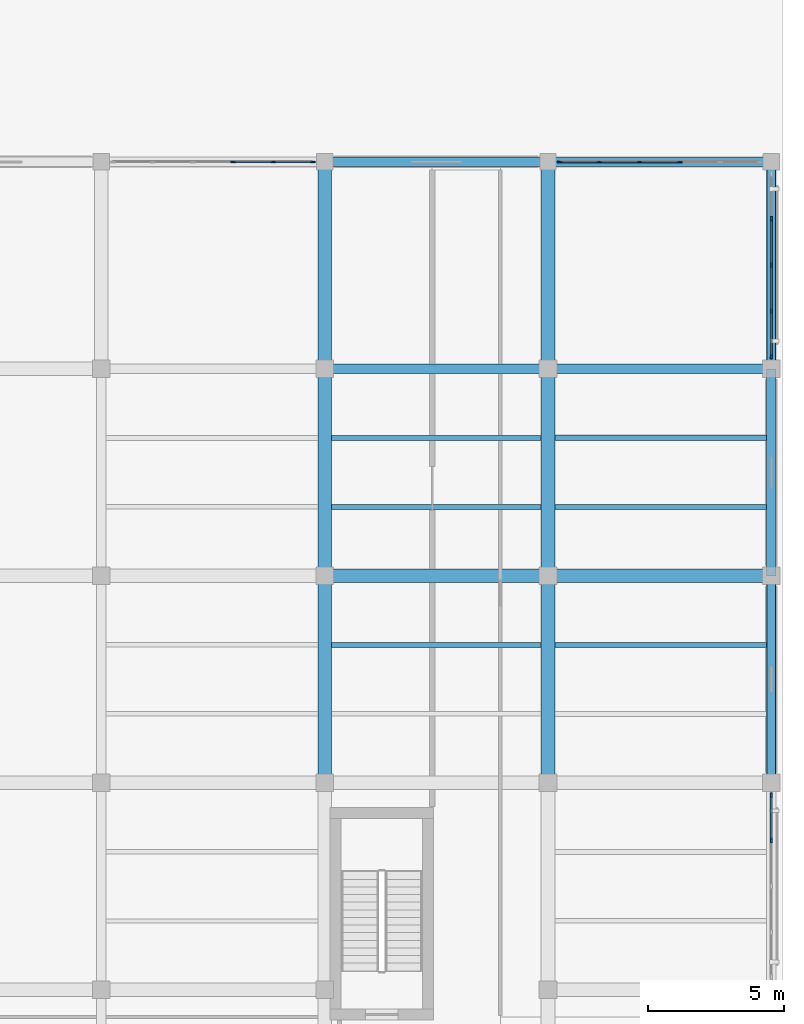
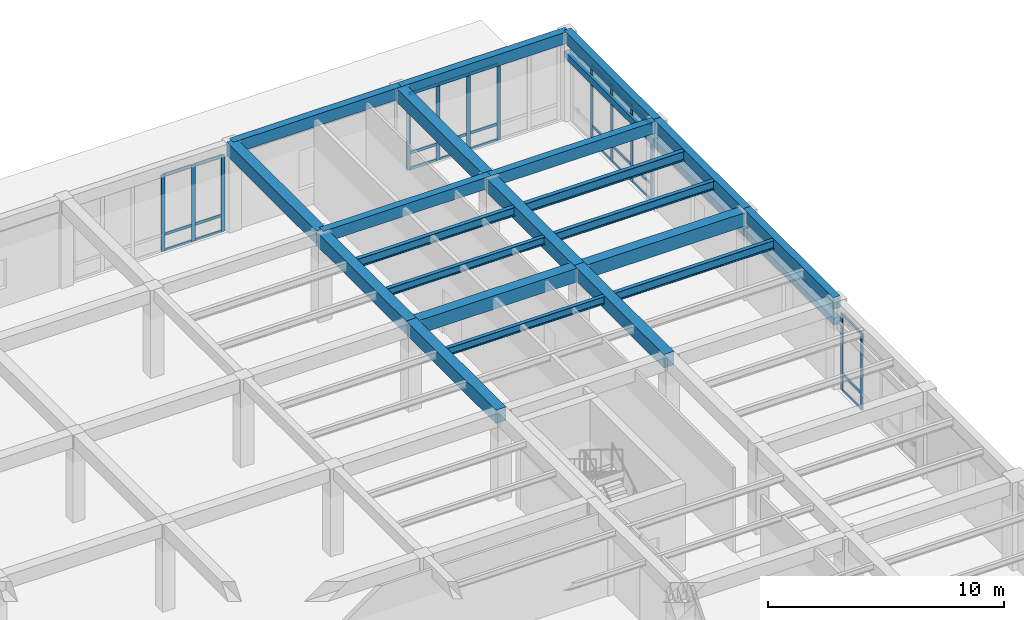
# One storey, part 25 of 49: 40 members, 24 beams, 4 elements without a shape of their own.
"""IFC4 building model written with IfcOpenShell, lengths in metres."""

from ifc_helpers import new_model, si_unit, direction, frame, origin, origin_2d, place, context, subcontext, project, spatial, rectangle, i_section, extrude, material, material_profile, profile_set, type_object, element, aggregate, save


model = new_model("IFC4")

# Units and contexts
model_context = context("Model", 3, precision=1e-05, world=origin(), true_north=direction((0.0, 1.0)))
body_context = subcontext(model_context, "Body", "Model", "MODEL_VIEW")
ifc_project = project(units=[si_unit("LENGTHUNIT", "METRE"), si_unit("AREAUNIT", "SQUARE_METRE"), si_unit("VOLUMEUNIT", "CUBIC_METRE"), si_unit("PLANEANGLEUNIT", "RADIAN"), si_unit("MASSUNIT", "GRAM", prefix="KILO")], contexts=[model_context])

# Site, building, storey
site_placement = place(None, origin())
site = spatial("IfcSite", under=ifc_project, at=site_placement, CompositionType="ELEMENT")
building_placement = place(site_placement, origin())
building = spatial("IfcBuilding", under=site, at=building_placement, Name="Qandaris Square Conservatory and Botanical Centre", CompositionType="ELEMENT")
storey_placement = place(building_placement, frame((0.0, 0.0, 10.199951171875)))
storey = spatial("IfcBuildingStorey", under=building, at=storey_placement, Name="L02", CompositionType="ELEMENT", Elevation=10.199951171875)

# Beams
ifc_material_1 = material(Name="Steel S355", Category="steel")
ifc_material_profile_1 = material_profile(ifc_material_1, i_section(OverallWidth=0.18994140625, OverallDepth=0.449951171875, WebThickness=0.009521484375, FlangeThickness=0.0146484375, FilletRadius=0.02099609375, at=origin_2d()), Name="IPE 450")
ifc_profile_set_1 = profile_set([ifc_material_profile_1], Name="Steel S355")
beam_type_1 = type_object("IfcBeamType", Name="Composite Archive Joist IPE 450", PredefinedType="JOIST", material=ifc_profile_set_1)
beam_1_placement = place(storey_placement, frame((147.64990234375, 90.066650390625, 4.275146484375), z_axis=(1.0, 0.0, 0.0), x_axis=(0.0, 1.0, 0.0)))
element("IfcBeam", 1, at=beam_1_placement, inside=storey, type_object=beam_type_1, Name="L02 Composite Joist 1514", PredefinedType="JOIST", context=body_context, shape_type="SweptSolid", body=[
    extrude(i_section(OverallWidth=0.18994140625, OverallDepth=0.449951171875, WebThickness=0.009521484375, FlangeThickness=0.0146484375, FilletRadius=0.02099609375, at=origin_2d()), origin(), (0.0, 0.0, 1.0), 7.7001953125),
])
for number, where, z_axis, x_axis, name in (
    (2, (155.85009765625, 82.466796875, 4.275146484375), (1.0, 0.0, 0.0), (0.0, 1.0, 0.0), "L02 Composite Joist 1532"),
    (3, (155.85009765625, 87.533203125, 4.275146484375), (1.0, 0.0, 0.0), (0.0, 1.0, 0.0), "L02 Composite Joist 1533"),
):
    element("IfcBeam", number, at=place(storey_placement, frame(where, z_axis=z_axis, x_axis=x_axis)), inside=storey, type_object=beam_type_1, Name=name, PredefinedType="JOIST", context=body_context, shape_type="SweptSolid", body=[
        extrude(i_section(OverallWidth=0.18994140625, OverallDepth=0.449951171875, WebThickness=0.009521484375, FlangeThickness=0.0146484375, FilletRadius=0.02099609375, at=origin_2d()), origin(), (0.0, 0.0, 1.0), 7.77490234375),
    ])
ifc_material_profile_2 = material_profile(ifc_material_1, i_section(OverallWidth=0.199951171875, OverallDepth=0.5, WebThickness=0.01025390625, FlangeThickness=0.01611328125, FilletRadius=0.02099609375, at=origin_2d()), Name="IPE 500")
ifc_profile_set_2 = profile_set([ifc_material_profile_2], Name="Steel S355")
beam_type_2 = type_object("IfcBeamType", Name="Composite Gallery Joist IPE 500", PredefinedType="JOIST", material=ifc_profile_set_2)
beam_2_placement = place(storey_placement, frame((155.85009765625, 90.066650390625, 4.25), z_axis=(1.0, 0.0, 0.0), x_axis=(0.0, 1.0, 0.0)))
element("IfcBeam", 4, at=beam_2_placement, inside=storey, type_object=beam_type_2, Name="L02 Composite Joist 1534", PredefinedType="JOIST", context=body_context, shape_type="SweptSolid", body=[
    extrude(i_section(OverallWidth=0.199951171875, OverallDepth=0.5, WebThickness=0.01025390625, FlangeThickness=0.01611328125, FilletRadius=0.02099609375, at=origin_2d()), origin(), (0.0, 0.0, 1.0), 7.77490234375),
])
ifc_material_profile_3 = material_profile(ifc_material_1, i_section(OverallWidth=0.179931640625, OverallDepth=0.39990234375, WebThickness=0.008544921875, FlangeThickness=0.013427734375, FilletRadius=0.02099609375, at=origin_2d()), Name="IPE 400")
ifc_profile_set_3 = profile_set([ifc_material_profile_3], Name="Steel S355")
beam_type_3 = type_object("IfcBeamType", Name="Composite Plinth Joist IPE 400", PredefinedType="JOIST", material=ifc_profile_set_3)
for number, where, z_axis, x_axis, name in (
    (5, (147.64990234375, 82.466796875, 4.300048828125), (1.0, 0.0, 0.0), (0.0, 1.0, 0.0), "L02 Composite Joist 1512"),
    (6, (147.64990234375, 87.533203125, 4.300048828125), (1.0, 0.0, 0.0), (0.0, 1.0, 0.0), "L02 Composite Joist 1513"),
):
    element("IfcBeam", number, at=place(storey_placement, frame(where, z_axis=z_axis, x_axis=x_axis)), inside=storey, type_object=beam_type_3, Name=name, PredefinedType="JOIST", context=body_context, shape_type="SweptSolid", body=[
        extrude(i_section(OverallWidth=0.179931640625, OverallDepth=0.39990234375, WebThickness=0.008544921875, FlangeThickness=0.013427734375, FilletRadius=0.02099609375, at=origin_2d()), origin(), (0.0, 0.0, 1.0), 7.7001953125),
    ])

# Curtain wall, members
ifc_material_2 = material(Name="Anodised Aluminium", Category="aluminium")
curtain_wall_type_1 = type_object("IfcCurtainWallType", Name="Unitised Curtain Wall CW-4-675x394", PredefinedType="USERDEFINED", material=ifc_material_2)
curtain_wall_1_placement = place(storey_placement, origin())
curtain_wall_1 = element("IfcCurtainWall", 7, at=curtain_wall_1_placement, inside=storey, type_object=curtain_wall_type_1, Name="Curtain Wall CW-TWR-L02-2-8", ObjectType="GLAZED CURTAIN WALL", PredefinedType="USERDEFINED")
ifc_material_profile_4 = material_profile(ifc_material_2, rectangle(XDim=0.06494140625, YDim=0.179931640625, at=origin_2d()), Name="ALU-MUL 65x180")
ifc_profile_set_4 = profile_set([ifc_material_profile_4], Name="Anodised Aluminium")
member_type_1 = type_object("IfcMemberType", Name="Curtain Wall Mullion 65x180", PredefinedType="MULLION", material=ifc_profile_set_4)
member_1_placement = place(storey_placement, frame((163.800048828125, 75.28759765625, 0.0), z_axis=(0.0, 0.0, 1.0), x_axis=(-1.0, 0.0, 0.0)))
member_1 = element("IfcMember", 8, at=member_1_placement, type_object=member_type_1, Name="CW-4-675x394 mullion 4", PredefinedType="MULLION", context=body_context, shape_type="SweptSolid", body=[
    extrude(rectangle(XDim=0.06494140625, YDim=0.179931640625, at=origin_2d()), origin(), (0.0, 0.0, 1.0), 3.945068359375),
])
member_2_placement = place(storey_placement, frame((163.800048828125, 76.9423828125, 0.0), z_axis=(0.0, 0.0, 1.0), x_axis=(-1.0, 0.0, 0.0)))
member_2 = element("IfcMember", 9, at=member_2_placement, type_object=member_type_1, Name="CW-4-675x394 mullion 5", PredefinedType="MULLION", context=body_context, shape_type="SweptSolid", body=[
    extrude(rectangle(XDim=0.06494140625, YDim=0.179931640625, at=origin_2d()), origin(), (0.0, 0.0, 1.0), 3.945068359375),
])

curtain_wall_type_2 = type_object("IfcCurtainWallType", Name="Unitised Curtain Wall CW-4-677x394", PredefinedType="USERDEFINED", material=ifc_material_2)
curtain_wall_2_placement = place(storey_placement, origin())
curtain_wall_2 = element("IfcCurtainWall", 10, at=curtain_wall_2_placement, inside=storey, type_object=curtain_wall_type_2, Name="Curtain Wall CW-TWR-L02-2-11", ObjectType="GLAZED CURTAIN WALL", PredefinedType="USERDEFINED")
member_3_placement = place(storey_placement, frame((163.800048828125, 93.0576171875, 0.0), z_axis=(0.0, 0.0, 1.0), x_axis=(-1.0, 0.0, 0.0)))
member_3 = element("IfcMember", 11, at=member_3_placement, type_object=member_type_1, Name="CW-4-677x394 mullion 1", PredefinedType="MULLION", context=body_context, shape_type="SweptSolid", body=[
    extrude(rectangle(XDim=0.06494140625, YDim=0.179931640625, at=origin_2d()), origin(), (0.0, 0.0, 1.0), 3.945068359375),
])
member_4_placement = place(storey_placement, frame((163.800048828125, 94.71875, 0.0), z_axis=(0.0, 0.0, 1.0), x_axis=(-1.0, 0.0, 0.0)))
member_4 = element("IfcMember", 12, at=member_4_placement, type_object=member_type_1, Name="CW-4-677x394 mullion 2", PredefinedType="MULLION", context=body_context, shape_type="SweptSolid", body=[
    extrude(rectangle(XDim=0.06494140625, YDim=0.179931640625, at=origin_2d()), origin(), (0.0, 0.0, 1.0), 3.945068359375),
])
member_5_placement = place(storey_placement, frame((163.800048828125, 96.41259765625, 0.0), z_axis=(0.0, 0.0, 1.0), x_axis=(-1.0, 0.0, 0.0)))
member_5 = element("IfcMember", 13, at=member_5_placement, type_object=member_type_1, Name="CW-4-677x394 mullion 3", PredefinedType="MULLION", context=body_context, shape_type="SweptSolid", body=[
    extrude(rectangle(XDim=0.06494140625, YDim=0.179931640625, at=origin_2d()), origin(), (0.0, 0.0, 1.0), 3.945068359375),
])
member_6_placement = place(storey_placement, frame((163.800048828125, 98.106201171875, 0.0), z_axis=(0.0, 0.0, 1.0), x_axis=(-1.0, 0.0, 0.0)))
member_6 = element("IfcMember", 14, at=member_6_placement, type_object=member_type_1, Name="CW-4-677x394 mullion 4", PredefinedType="MULLION", context=body_context, shape_type="SweptSolid", body=[
    extrude(rectangle(XDim=0.06494140625, YDim=0.179931640625, at=origin_2d()), origin(), (0.0, 0.0, 1.0), 3.945068359375),
])

curtain_wall_type_3 = type_object("IfcCurtainWallType", Name="Unitised Curtain Wall CW-3-740x394", PredefinedType="USERDEFINED", material=ifc_material_2)
curtain_wall_3_placement = place(storey_placement, origin())
curtain_wall_3 = element("IfcCurtainWall", 15, at=curtain_wall_3_placement, inside=storey, type_object=curtain_wall_type_3, Name="Curtain Wall CW-TWR-L02-3-1", ObjectType="GLAZED CURTAIN WALL", PredefinedType="USERDEFINED")
member_7_placement = place(storey_placement, frame((160.43994140625, 100.199951171875, 0.0), z_axis=(0.0, 0.0, 1.0), x_axis=(0.0, -1.0, 0.0)))
member_7 = element("IfcMember", 16, at=member_7_placement, type_object=member_type_1, Name="CW-3-740x394 mullion 3", PredefinedType="MULLION", context=body_context, shape_type="SweptSolid", body=[
    extrude(rectangle(XDim=0.06494140625, YDim=0.179931640625, at=origin_2d()), origin(), (0.0, 0.0, 1.0), 3.945068359375),
])
member_8_placement = place(storey_placement, frame((158.9599609375, 100.199951171875, 0.0), z_axis=(0.0, 0.0, 1.0), x_axis=(0.0, -1.0, 0.0)))
member_8 = element("IfcMember", 17, at=member_8_placement, type_object=member_type_1, Name="CW-3-740x394 mullion 4", PredefinedType="MULLION", context=body_context, shape_type="SweptSolid", body=[
    extrude(rectangle(XDim=0.06494140625, YDim=0.179931640625, at=origin_2d()), origin(), (0.0, 0.0, 1.0), 3.945068359375),
])
member_9_placement = place(storey_placement, frame((157.47998046875, 100.199951171875, 0.0), z_axis=(0.0, 0.0, 1.0), x_axis=(0.0, -1.0, 0.0)))
member_9 = element("IfcMember", 18, at=member_9_placement, type_object=member_type_1, Name="CW-3-740x394 mullion 5", PredefinedType="MULLION", context=body_context, shape_type="SweptSolid", body=[
    extrude(rectangle(XDim=0.06494140625, YDim=0.179931640625, at=origin_2d()), origin(), (0.0, 0.0, 1.0), 3.945068359375),
])
member_10_placement = place(storey_placement, frame((156.032470703125, 100.199951171875, 0.0), z_axis=(0.0, 0.0, 1.0), x_axis=(0.0, -1.0, 0.0)))
member_10 = element("IfcMember", 19, at=member_10_placement, type_object=member_type_1, Name="CW-3-740x394 mullion 6", PredefinedType="MULLION", context=body_context, shape_type="SweptSolid", body=[
    extrude(rectangle(XDim=0.06494140625, YDim=0.179931640625, at=origin_2d()), origin(), (0.0, 0.0, 1.0), 3.945068359375),
])

curtain_wall_4_placement = place(storey_placement, origin())
curtain_wall_4 = element("IfcCurtainWall", 20, at=curtain_wall_4_placement, inside=storey, type_object=curtain_wall_type_3, Name="Curtain Wall CW-TWR-L02-3-3", ObjectType="GLAZED CURTAIN WALL", PredefinedType="USERDEFINED")
member_11_placement = place(storey_placement, frame((146.967529296875, 100.199951171875, 0.0), z_axis=(0.0, 0.0, 1.0), x_axis=(0.0, -1.0, 0.0)))
member_11 = element("IfcMember", 21, at=member_11_placement, type_object=member_type_1, Name="CW-3-740x394 mullion 1", PredefinedType="MULLION", context=body_context, shape_type="SweptSolid", body=[
    extrude(rectangle(XDim=0.06494140625, YDim=0.179931640625, at=origin_2d()), origin(), (0.0, 0.0, 1.0), 3.945068359375),
])
member_12_placement = place(storey_placement, frame((145.52001953125, 100.199951171875, 0.0), z_axis=(0.0, 0.0, 1.0), x_axis=(0.0, -1.0, 0.0)))
member_12 = element("IfcMember", 22, at=member_12_placement, type_object=member_type_1, Name="CW-3-740x394 mullion 2", PredefinedType="MULLION", context=body_context, shape_type="SweptSolid", body=[
    extrude(rectangle(XDim=0.06494140625, YDim=0.179931640625, at=origin_2d()), origin(), (0.0, 0.0, 1.0), 3.945068359375),
])
member_13_placement = place(storey_placement, frame((144.0400390625, 100.199951171875, 0.0), z_axis=(0.0, 0.0, 1.0), x_axis=(0.0, -1.0, 0.0)))
member_13 = element("IfcMember", 23, at=member_13_placement, type_object=member_type_1, Name="CW-3-740x394 mullion 3", PredefinedType="MULLION", context=body_context, shape_type="SweptSolid", body=[
    extrude(rectangle(XDim=0.06494140625, YDim=0.179931640625, at=origin_2d()), origin(), (0.0, 0.0, 1.0), 3.945068359375),
])

# Member
ifc_material_profile_5 = material_profile(ifc_material_2, rectangle(XDim=0.06494140625, YDim=0.139892578125, at=origin_2d()), Name="ALU-TRN 65x140")
ifc_profile_set_5 = profile_set([ifc_material_profile_5], Name="Anodised Aluminium")
member_type_2 = type_object("IfcMemberType", Name="Curtain Wall Transom 65x140", PredefinedType="USERDEFINED", material=ifc_profile_set_5)
member_14_placement = place(storey_placement, frame((163.800048828125, 75.320068359375, 0.032470703125), z_axis=(0.0, 1.0, 0.0), x_axis=(-1.0, 0.0, 0.0)))
member_14 = element("IfcMember", 24, at=member_14_placement, type_object=member_type_2, Name="CW-4-675x394 transom 4.1", ObjectType="TRANSOM", PredefinedType="USERDEFINED", context=body_context, shape_type="SweptSolid", body=[
    extrude(rectangle(XDim=0.06494140625, YDim=0.139892578125, at=origin_2d()), origin(), (0.0, 0.0, 1.0), 1.58984375),
])

member_15_placement = place(storey_placement, frame((163.800048828125, 75.320068359375, 0.85009765625), z_axis=(0.0, 1.0, 0.0), x_axis=(-1.0, 0.0, 0.0)))
member_15 = element("IfcMember", 25, at=member_15_placement, type_object=member_type_2, Name="CW-4-675x394 transom 4.2", ObjectType="TRANSOM", PredefinedType="USERDEFINED", context=body_context, shape_type="SweptSolid", body=[
    extrude(rectangle(XDim=0.06494140625, YDim=0.139892578125, at=origin_2d()), origin(), (0.0, 0.0, 1.0), 1.58984375),
])

member_16_placement = place(storey_placement, frame((163.800048828125, 75.320068359375, 3.91259765625), z_axis=(0.0, 1.0, 0.0), x_axis=(-1.0, 0.0, 0.0)))
member_16 = element("IfcMember", 26, at=member_16_placement, type_object=member_type_2, Name="CW-4-675x394 transom 4.3", ObjectType="TRANSOM", PredefinedType="USERDEFINED", context=body_context, shape_type="SweptSolid", body=[
    extrude(rectangle(XDim=0.06494140625, YDim=0.139892578125, at=origin_2d()), origin(), (0.0, 0.0, 1.0), 1.58984375),
])

aggregate(curtain_wall_1, [member_1, member_2, member_14, member_15, member_16])

member_17_placement = place(storey_placement, frame((163.800048828125, 93.090087890625, 0.032470703125), z_axis=(0.0, 1.0, 0.0), x_axis=(-1.0, 0.0, 0.0)))
member_17 = element("IfcMember", 27, at=member_17_placement, type_object=member_type_2, Name="CW-4-677x394 transom 1.1", ObjectType="TRANSOM", PredefinedType="USERDEFINED", context=body_context, shape_type="SweptSolid", body=[
    extrude(rectangle(XDim=0.06494140625, YDim=0.139892578125, at=origin_2d()), origin(), (0.0, 0.0, 1.0), 1.59619140625),
])

member_18_placement = place(storey_placement, frame((163.800048828125, 93.090087890625, 0.85009765625), z_axis=(0.0, 1.0, 0.0), x_axis=(-1.0, 0.0, 0.0)))
member_18 = element("IfcMember", 28, at=member_18_placement, type_object=member_type_2, Name="CW-4-677x394 transom 1.2", ObjectType="TRANSOM", PredefinedType="USERDEFINED", context=body_context, shape_type="SweptSolid", body=[
    extrude(rectangle(XDim=0.06494140625, YDim=0.139892578125, at=origin_2d()), origin(), (0.0, 0.0, 1.0), 1.59619140625),
])

member_19_placement = place(storey_placement, frame((163.800048828125, 93.090087890625, 3.91259765625), z_axis=(0.0, 1.0, 0.0), x_axis=(-1.0, 0.0, 0.0)))
member_19 = element("IfcMember", 29, at=member_19_placement, type_object=member_type_2, Name="CW-4-677x394 transom 1.3", ObjectType="TRANSOM", PredefinedType="USERDEFINED", context=body_context, shape_type="SweptSolid", body=[
    extrude(rectangle(XDim=0.06494140625, YDim=0.139892578125, at=origin_2d()), origin(), (0.0, 0.0, 1.0), 1.59619140625),
])

member_20_placement = place(storey_placement, frame((163.800048828125, 94.751220703125, 0.032470703125), z_axis=(0.0, 1.0, 0.0), x_axis=(-1.0, 0.0, 0.0)))
member_20 = element("IfcMember", 30, at=member_20_placement, type_object=member_type_2, Name="CW-4-677x394 transom 2.1", ObjectType="TRANSOM", PredefinedType="USERDEFINED", context=body_context, shape_type="SweptSolid", body=[
    extrude(rectangle(XDim=0.06494140625, YDim=0.139892578125, at=origin_2d()), origin(), (0.0, 0.0, 1.0), 1.628662109375),
])

member_21_placement = place(storey_placement, frame((163.800048828125, 94.751220703125, 0.85009765625), z_axis=(0.0, 1.0, 0.0), x_axis=(-1.0, 0.0, 0.0)))
member_21 = element("IfcMember", 31, at=member_21_placement, type_object=member_type_2, Name="CW-4-677x394 transom 2.2", ObjectType="TRANSOM", PredefinedType="USERDEFINED", context=body_context, shape_type="SweptSolid", body=[
    extrude(rectangle(XDim=0.06494140625, YDim=0.139892578125, at=origin_2d()), origin(), (0.0, 0.0, 1.0), 1.628662109375),
])

member_22_placement = place(storey_placement, frame((163.800048828125, 94.751220703125, 3.91259765625), z_axis=(0.0, 1.0, 0.0), x_axis=(-1.0, 0.0, 0.0)))
member_22 = element("IfcMember", 32, at=member_22_placement, type_object=member_type_2, Name="CW-4-677x394 transom 2.3", ObjectType="TRANSOM", PredefinedType="USERDEFINED", context=body_context, shape_type="SweptSolid", body=[
    extrude(rectangle(XDim=0.06494140625, YDim=0.139892578125, at=origin_2d()), origin(), (0.0, 0.0, 1.0), 1.628662109375),
])

member_23_placement = place(storey_placement, frame((163.800048828125, 96.445068359375, 0.032470703125), z_axis=(0.0, 1.0, 0.0), x_axis=(-1.0, 0.0, 0.0)))
member_23 = element("IfcMember", 33, at=member_23_placement, type_object=member_type_2, Name="CW-4-677x394 transom 3.1", ObjectType="TRANSOM", PredefinedType="USERDEFINED", context=body_context, shape_type="SweptSolid", body=[
    extrude(rectangle(XDim=0.06494140625, YDim=0.139892578125, at=origin_2d()), origin(), (0.0, 0.0, 1.0), 1.628662109375),
])

member_24_placement = place(storey_placement, frame((163.800048828125, 96.445068359375, 0.85009765625), z_axis=(0.0, 1.0, 0.0), x_axis=(-1.0, 0.0, 0.0)))
member_24 = element("IfcMember", 34, at=member_24_placement, type_object=member_type_2, Name="CW-4-677x394 transom 3.2", ObjectType="TRANSOM", PredefinedType="USERDEFINED", context=body_context, shape_type="SweptSolid", body=[
    extrude(rectangle(XDim=0.06494140625, YDim=0.139892578125, at=origin_2d()), origin(), (0.0, 0.0, 1.0), 1.628662109375),
])

member_25_placement = place(storey_placement, frame((163.800048828125, 96.445068359375, 3.91259765625), z_axis=(0.0, 1.0, 0.0), x_axis=(-1.0, 0.0, 0.0)))
member_25 = element("IfcMember", 35, at=member_25_placement, type_object=member_type_2, Name="CW-4-677x394 transom 3.3", ObjectType="TRANSOM", PredefinedType="USERDEFINED", context=body_context, shape_type="SweptSolid", body=[
    extrude(rectangle(XDim=0.06494140625, YDim=0.139892578125, at=origin_2d()), origin(), (0.0, 0.0, 1.0), 1.628662109375),
])

aggregate(curtain_wall_2, [member_3, member_4, member_5, member_6, member_17, member_18, member_19, member_20, member_21, member_22, member_23, member_24, member_25])

member_26_placement = place(storey_placement, frame((160.407470703125, 100.199951171875, 0.032470703125), z_axis=(-1.0, 0.0, 0.0), x_axis=(0.0, -1.0, 0.0)))
member_26 = element("IfcMember", 36, at=member_26_placement, type_object=member_type_2, Name="CW-3-740x394 transom 3.1", ObjectType="TRANSOM", PredefinedType="USERDEFINED", context=body_context, shape_type="SweptSolid", body=[
    extrude(rectangle(XDim=0.06494140625, YDim=0.139892578125, at=origin_2d()), origin(), (0.0, 0.0, 1.0), 1.4150390625),
])

member_27_placement = place(storey_placement, frame((160.407470703125, 100.199951171875, 0.85009765625), z_axis=(-1.0, 0.0, 0.0), x_axis=(0.0, -1.0, 0.0)))
member_27 = element("IfcMember", 37, at=member_27_placement, type_object=member_type_2, Name="CW-3-740x394 transom 3.2", ObjectType="TRANSOM", PredefinedType="USERDEFINED", context=body_context, shape_type="SweptSolid", body=[
    extrude(rectangle(XDim=0.06494140625, YDim=0.139892578125, at=origin_2d()), origin(), (0.0, 0.0, 1.0), 1.4150390625),
])

member_28_placement = place(storey_placement, frame((160.407470703125, 100.199951171875, 3.91259765625), z_axis=(-1.0, 0.0, 0.0), x_axis=(0.0, -1.0, 0.0)))
member_28 = element("IfcMember", 38, at=member_28_placement, type_object=member_type_2, Name="CW-3-740x394 transom 3.3", ObjectType="TRANSOM", PredefinedType="USERDEFINED", context=body_context, shape_type="SweptSolid", body=[
    extrude(rectangle(XDim=0.06494140625, YDim=0.139892578125, at=origin_2d()), origin(), (0.0, 0.0, 1.0), 1.4150390625),
])

member_29_placement = place(storey_placement, frame((158.927490234375, 100.199951171875, 0.032470703125), z_axis=(-1.0, 0.0, 0.0), x_axis=(0.0, -1.0, 0.0)))
member_29 = element("IfcMember", 39, at=member_29_placement, type_object=member_type_2, Name="CW-3-740x394 transom 4.1", ObjectType="TRANSOM", PredefinedType="USERDEFINED", context=body_context, shape_type="SweptSolid", body=[
    extrude(rectangle(XDim=0.06494140625, YDim=0.139892578125, at=origin_2d()), origin(), (0.0, 0.0, 1.0), 1.4150390625),
])

member_30_placement = place(storey_placement, frame((158.927490234375, 100.199951171875, 0.85009765625), z_axis=(-1.0, 0.0, 0.0), x_axis=(0.0, -1.0, 0.0)))
member_30 = element("IfcMember", 40, at=member_30_placement, type_object=member_type_2, Name="CW-3-740x394 transom 4.2", ObjectType="TRANSOM", PredefinedType="USERDEFINED", context=body_context, shape_type="SweptSolid", body=[
    extrude(rectangle(XDim=0.06494140625, YDim=0.139892578125, at=origin_2d()), origin(), (0.0, 0.0, 1.0), 1.4150390625),
])

member_31_placement = place(storey_placement, frame((158.927490234375, 100.199951171875, 3.91259765625), z_axis=(-1.0, 0.0, 0.0), x_axis=(0.0, -1.0, 0.0)))
member_31 = element("IfcMember", 41, at=member_31_placement, type_object=member_type_2, Name="CW-3-740x394 transom 4.3", ObjectType="TRANSOM", PredefinedType="USERDEFINED", context=body_context, shape_type="SweptSolid", body=[
    extrude(rectangle(XDim=0.06494140625, YDim=0.139892578125, at=origin_2d()), origin(), (0.0, 0.0, 1.0), 1.4150390625),
])

member_32_placement = place(storey_placement, frame((157.447509765625, 100.199951171875, 0.032470703125), z_axis=(-1.0, 0.0, 0.0), x_axis=(0.0, -1.0, 0.0)))
member_32 = element("IfcMember", 42, at=member_32_placement, type_object=member_type_2, Name="CW-3-740x394 transom 5.1", ObjectType="TRANSOM", PredefinedType="USERDEFINED", context=body_context, shape_type="SweptSolid", body=[
    extrude(rectangle(XDim=0.06494140625, YDim=0.139892578125, at=origin_2d()), origin(), (0.0, 0.0, 1.0), 1.382568359375),
])

member_33_placement = place(storey_placement, frame((157.447509765625, 100.199951171875, 0.85009765625), z_axis=(-1.0, 0.0, 0.0), x_axis=(0.0, -1.0, 0.0)))
member_33 = element("IfcMember", 43, at=member_33_placement, type_object=member_type_2, Name="CW-3-740x394 transom 5.2", ObjectType="TRANSOM", PredefinedType="USERDEFINED", context=body_context, shape_type="SweptSolid", body=[
    extrude(rectangle(XDim=0.06494140625, YDim=0.139892578125, at=origin_2d()), origin(), (0.0, 0.0, 1.0), 1.382568359375),
])

member_34_placement = place(storey_placement, frame((157.447509765625, 100.199951171875, 3.91259765625), z_axis=(-1.0, 0.0, 0.0), x_axis=(0.0, -1.0, 0.0)))
member_34 = element("IfcMember", 44, at=member_34_placement, type_object=member_type_2, Name="CW-3-740x394 transom 5.3", ObjectType="TRANSOM", PredefinedType="USERDEFINED", context=body_context, shape_type="SweptSolid", body=[
    extrude(rectangle(XDim=0.06494140625, YDim=0.139892578125, at=origin_2d()), origin(), (0.0, 0.0, 1.0), 1.382568359375),
])

aggregate(curtain_wall_3, [member_7, member_8, member_9, member_10, member_26, member_27, member_28, member_29, member_30, member_31, member_32, member_33, member_34])

member_35_placement = place(storey_placement, frame((146.93505859375, 100.199951171875, 0.032470703125), z_axis=(-1.0, 0.0, 0.0), x_axis=(0.0, -1.0, 0.0)))
member_35 = element("IfcMember", 45, at=member_35_placement, type_object=member_type_2, Name="CW-3-740x394 transom 1.1", ObjectType="TRANSOM", PredefinedType="USERDEFINED", context=body_context, shape_type="SweptSolid", body=[
    extrude(rectangle(XDim=0.06494140625, YDim=0.139892578125, at=origin_2d()), origin(), (0.0, 0.0, 1.0), 1.382568359375),
])

member_36_placement = place(storey_placement, frame((146.93505859375, 100.199951171875, 0.85009765625), z_axis=(-1.0, 0.0, 0.0), x_axis=(0.0, -1.0, 0.0)))
member_36 = element("IfcMember", 46, at=member_36_placement, type_object=member_type_2, Name="CW-3-740x394 transom 1.2", ObjectType="TRANSOM", PredefinedType="USERDEFINED", context=body_context, shape_type="SweptSolid", body=[
    extrude(rectangle(XDim=0.06494140625, YDim=0.139892578125, at=origin_2d()), origin(), (0.0, 0.0, 1.0), 1.382568359375),
])

member_37_placement = place(storey_placement, frame((146.93505859375, 100.199951171875, 3.91259765625), z_axis=(-1.0, 0.0, 0.0), x_axis=(0.0, -1.0, 0.0)))
member_37 = element("IfcMember", 47, at=member_37_placement, type_object=member_type_2, Name="CW-3-740x394 transom 1.3", ObjectType="TRANSOM", PredefinedType="USERDEFINED", context=body_context, shape_type="SweptSolid", body=[
    extrude(rectangle(XDim=0.06494140625, YDim=0.139892578125, at=origin_2d()), origin(), (0.0, 0.0, 1.0), 1.382568359375),
])

member_38_placement = place(storey_placement, frame((145.487548828125, 100.199951171875, 0.032470703125), z_axis=(-1.0, 0.0, 0.0), x_axis=(0.0, -1.0, 0.0)))
member_38 = element("IfcMember", 48, at=member_38_placement, type_object=member_type_2, Name="CW-3-740x394 transom 2.1", ObjectType="TRANSOM", PredefinedType="USERDEFINED", context=body_context, shape_type="SweptSolid", body=[
    extrude(rectangle(XDim=0.06494140625, YDim=0.139892578125, at=origin_2d()), origin(), (0.0, 0.0, 1.0), 1.4150390625),
])

member_39_placement = place(storey_placement, frame((145.487548828125, 100.199951171875, 0.85009765625), z_axis=(-1.0, 0.0, 0.0), x_axis=(0.0, -1.0, 0.0)))
member_39 = element("IfcMember", 49, at=member_39_placement, type_object=member_type_2, Name="CW-3-740x394 transom 2.2", ObjectType="TRANSOM", PredefinedType="USERDEFINED", context=body_context, shape_type="SweptSolid", body=[
    extrude(rectangle(XDim=0.06494140625, YDim=0.139892578125, at=origin_2d()), origin(), (0.0, 0.0, 1.0), 1.4150390625),
])

member_40_placement = place(storey_placement, frame((145.487548828125, 100.199951171875, 3.91259765625), z_axis=(-1.0, 0.0, 0.0), x_axis=(0.0, -1.0, 0.0)))
member_40 = element("IfcMember", 50, at=member_40_placement, type_object=member_type_2, Name="CW-3-740x394 transom 2.3", ObjectType="TRANSOM", PredefinedType="USERDEFINED", context=body_context, shape_type="SweptSolid", body=[
    extrude(rectangle(XDim=0.06494140625, YDim=0.139892578125, at=origin_2d()), origin(), (0.0, 0.0, 1.0), 1.4150390625),
])

aggregate(curtain_wall_4, [member_11, member_12, member_13, member_35, member_36, member_37, member_38, member_39, member_40])

# Beams
ifc_material_3 = material(Name="Precast concrete C40/50", Category="concrete")
ifc_material_profile_6 = material_profile(ifc_material_3, rectangle(XDim=0.300048828125, YDim=0.35009765625, at=origin_2d()), Name="RC-LN 300x350")
ifc_profile_set_6 = profile_set([ifc_material_profile_6], Name="Precast concrete C40/50")
beam_type_4 = type_object("IfcBeamType", Name="Precast Opening Lintel 300x350", PredefinedType="LINTEL", material=ifc_profile_set_6)
beam_3_placement = place(storey_placement, frame((163.800048828125, 77.39990234375, 3.295166015625), z_axis=(0.0, 1.0, 0.0), x_axis=(-1.0, 0.0, 0.0)))
element("IfcBeam", 51, at=beam_3_placement, inside=storey, type_object=beam_type_4, Name="Precast Lintel 034", PredefinedType="LINTEL", context=body_context, shape_type="SweptSolid", body=[
    extrude(rectangle(XDim=0.300048828125, YDim=0.35009765625, at=origin_2d()), origin(), (0.0, 0.0, 1.0), 7.60009765625),
])
beam_4_placement = place(storey_placement, frame((163.800048828125, 92.60009765625, 3.295166015625), z_axis=(0.0, 1.0, 0.0), x_axis=(-1.0, 0.0, 0.0)))
element("IfcBeam", 52, at=beam_4_placement, inside=storey, type_object=beam_type_4, Name="Precast Lintel 036", PredefinedType="LINTEL", context=body_context, shape_type="SweptSolid", body=[
    extrude(rectangle(XDim=0.300048828125, YDim=0.35009765625, at=origin_2d()), origin(), (0.0, 0.0, 1.0), 7.599853515625),
])
ifc_material_profile_7 = material_profile(ifc_material_3, rectangle(XDim=0.35009765625, YDim=0.39990234375, at=origin_2d()), Name="RC-LN 350x400")
ifc_profile_set_7 = profile_set([ifc_material_profile_7], Name="Precast concrete C40/50")
beam_type_5 = type_object("IfcBeamType", Name="Precast Opening Lintel 350x400", PredefinedType="LINTEL", material=ifc_profile_set_7)
beam_5_placement = place(storey_placement, frame((163.800048828125, 85.0, 3.320068359375), z_axis=(0.0, 1.0, 0.0), x_axis=(-1.0, 0.0, 0.0)))
element("IfcBeam", 53, at=beam_5_placement, inside=storey, type_object=beam_type_5, Name="Precast Lintel 035", PredefinedType="LINTEL", context=body_context, shape_type="SweptSolid", body=[
    extrude(rectangle(XDim=0.35009765625, YDim=0.39990234375, at=origin_2d()), origin(), (0.0, 0.0, 1.0), 7.60009765625),
])
ifc_material_4 = material(Name="Concrete C50/60", Category="concrete")
ifc_material_profile_8 = material_profile(ifc_material_4, rectangle(XDim=0.35009765625, YDim=0.60009765625, at=origin_2d()), Name="RC-SP 350x600")
ifc_profile_set_8 = profile_set([ifc_material_profile_8], Name="Concrete C50/60")
beam_type_6 = type_object("IfcBeamType", Name="RC Edge Spandrel Beam 350x600", PredefinedType="SPANDREL", material=ifc_profile_set_8)
beam_6_placement = place(storey_placement, frame((147.39990234375, 92.60009765625, 4.2451171875), z_axis=(1.0, 0.0, 0.0), x_axis=(0.0, 1.0, 0.0)))
element("IfcBeam", 54, at=beam_6_placement, inside=storey, type_object=beam_type_6, Name="L02 Frame Beam 1369", PredefinedType="SPANDREL", context=body_context, shape_type="SweptSolid", body=[
    extrude(rectangle(XDim=0.35009765625, YDim=0.60009765625, at=origin_2d()), origin(), (0.0, 0.0, 1.0), 8.2001953125),
])
beam_7_placement = place(storey_placement, frame((155.60009765625, 92.60009765625, 4.2451171875), z_axis=(1.0, 0.0, 0.0), x_axis=(0.0, 1.0, 0.0)))
element("IfcBeam", 55, at=beam_7_placement, inside=storey, type_object=beam_type_6, Name="L02 Frame Beam 1370", PredefinedType="SPANDREL", context=body_context, shape_type="SweptSolid", body=[
    extrude(rectangle(XDim=0.35009765625, YDim=0.60009765625, at=origin_2d()), origin(), (0.0, 0.0, 1.0), 8.199951171875),
])
beam_8_placement = place(storey_placement, frame((147.39990234375, 100.199951171875, 4.2451171875), z_axis=(1.0, 0.0, 0.0), x_axis=(0.0, 1.0, 0.0)))
element("IfcBeam", 56, at=beam_8_placement, inside=storey, type_object=beam_type_6, Name="L02 Frame Beam 1375", PredefinedType="SPANDREL", context=body_context, shape_type="SweptSolid", body=[
    extrude(rectangle(XDim=0.35009765625, YDim=0.60009765625, at=origin_2d()), origin(), (0.0, 0.0, 1.0), 8.2001953125),
])
beam_9_placement = place(storey_placement, frame((155.60009765625, 100.199951171875, 4.2451171875), z_axis=(1.0, 0.0, 0.0), x_axis=(0.0, 1.0, 0.0)))
element("IfcBeam", 57, at=beam_9_placement, inside=storey, type_object=beam_type_6, Name="L02 Frame Beam 1376", PredefinedType="SPANDREL", context=body_context, shape_type="SweptSolid", body=[
    extrude(rectangle(XDim=0.35009765625, YDim=0.60009765625, at=origin_2d()), origin(), (0.0, 0.0, 1.0), 8.199951171875),
])
for number, where, z_axis, x_axis, name in (
    (58, (163.800048828125, 77.39990234375, 4.2451171875), (0.0, 1.0, 0.0), (-1.0, 0.0, 0.0), "L02 Frame Beam 1458"),
    (59, (163.800048828125, 85.0, 4.2451171875), (0.0, 1.0, 0.0), (-1.0, 0.0, 0.0), "L02 Frame Beam 1459"),
):
    element("IfcBeam", number, at=place(storey_placement, frame(where, z_axis=z_axis, x_axis=x_axis)), inside=storey, type_object=beam_type_6, Name=name, PredefinedType="SPANDREL", context=body_context, shape_type="SweptSolid", body=[
        extrude(rectangle(XDim=0.35009765625, YDim=0.60009765625, at=origin_2d()), origin(), (0.0, 0.0, 1.0), 7.60009765625),
    ])
beam_10_placement = place(storey_placement, frame((163.800048828125, 92.60009765625, 4.2451171875), z_axis=(0.0, 1.0, 0.0), x_axis=(-1.0, 0.0, 0.0)))
element("IfcBeam", 60, at=beam_10_placement, inside=storey, type_object=beam_type_6, Name="L02 Frame Beam 1460", PredefinedType="SPANDREL", context=body_context, shape_type="SweptSolid", body=[
    extrude(rectangle(XDim=0.35009765625, YDim=0.60009765625, at=origin_2d()), origin(), (0.0, 0.0, 1.0), 7.599853515625),
])
ifc_material_profile_9 = material_profile(ifc_material_4, rectangle(XDim=0.5, YDim=0.699951171875, at=origin_2d()), Name="RC-BM 500x700")
ifc_profile_set_9 = profile_set([ifc_material_profile_9], Name="Concrete C50/60")
beam_type_7 = type_object("IfcBeamType", Name="RC Floor Girder 500x700", PredefinedType="BEAM", material=ifc_profile_set_9)
beam_11_placement = place(storey_placement, frame((147.39990234375, 85.0, 4.16015625), z_axis=(1.0, 0.0, 0.0), x_axis=(0.0, 1.0, 0.0)))
element("IfcBeam", 61, at=beam_11_placement, inside=storey, type_object=beam_type_7, Name="L02 Frame Beam 1363", PredefinedType="BEAM", context=body_context, shape_type="SweptSolid", body=[
    extrude(rectangle(XDim=0.5, YDim=0.699951171875, at=origin_2d()), origin(), (0.0, 0.0, 1.0), 8.2001953125),
])
beam_12_placement = place(storey_placement, frame((155.60009765625, 85.0, 4.16015625), z_axis=(1.0, 0.0, 0.0), x_axis=(0.0, 1.0, 0.0)))
element("IfcBeam", 62, at=beam_12_placement, inside=storey, type_object=beam_type_7, Name="L02 Frame Beam 1364", PredefinedType="BEAM", context=body_context, shape_type="SweptSolid", body=[
    extrude(rectangle(XDim=0.5, YDim=0.699951171875, at=origin_2d()), origin(), (0.0, 0.0, 1.0), 8.199951171875),
])
for number, where, z_axis, x_axis, name in (
    (63, (147.39990234375, 77.39990234375, 4.16015625), (0.0, 1.0, 0.0), (-1.0, 0.0, 0.0), "L02 Frame Beam 1436"),
    (64, (147.39990234375, 85.0, 4.16015625), (0.0, 1.0, 0.0), (-1.0, 0.0, 0.0), "L02 Frame Beam 1437"),
):
    element("IfcBeam", number, at=place(storey_placement, frame(where, z_axis=z_axis, x_axis=x_axis)), inside=storey, type_object=beam_type_7, Name=name, PredefinedType="BEAM", context=body_context, shape_type="SweptSolid", body=[
        extrude(rectangle(XDim=0.5, YDim=0.699951171875, at=origin_2d()), origin(), (0.0, 0.0, 1.0), 7.60009765625),
    ])
beam_13_placement = place(storey_placement, frame((147.39990234375, 92.60009765625, 4.195068359375), z_axis=(0.0, 1.0, 0.0), x_axis=(-1.0, 0.0, 0.0)))
element("IfcBeam", 65, at=beam_13_placement, inside=storey, type_object=beam_type_7, Name="L02 Frame Beam 1438", PredefinedType="BEAM", context=body_context, shape_type="SweptSolid", body=[
    extrude(rectangle(XDim=0.5, YDim=0.699951171875, at=origin_2d()), origin(), (0.0, 0.0, 1.0), 7.599853515625),
])
for number, where, z_axis, x_axis, name in (
    (66, (155.60009765625, 77.39990234375, 4.16015625), (0.0, 1.0, 0.0), (-1.0, 0.0, 0.0), "L02 Frame Beam 1447"),
    (67, (155.60009765625, 85.0, 4.16015625), (0.0, 1.0, 0.0), (-1.0, 0.0, 0.0), "L02 Frame Beam 1448"),
):
    element("IfcBeam", number, at=place(storey_placement, frame(where, z_axis=z_axis, x_axis=x_axis)), inside=storey, type_object=beam_type_7, Name=name, PredefinedType="BEAM", context=body_context, shape_type="SweptSolid", body=[
        extrude(rectangle(XDim=0.5, YDim=0.699951171875, at=origin_2d()), origin(), (0.0, 0.0, 1.0), 7.60009765625),
    ])
beam_14_placement = place(storey_placement, frame((155.60009765625, 92.60009765625, 4.195068359375), z_axis=(0.0, 1.0, 0.0), x_axis=(-1.0, 0.0, 0.0)))
element("IfcBeam", 68, at=beam_14_placement, inside=storey, type_object=beam_type_7, Name="L02 Frame Beam 1449", PredefinedType="BEAM", context=body_context, shape_type="SweptSolid", body=[
    extrude(rectangle(XDim=0.5, YDim=0.699951171875, at=origin_2d()), origin(), (0.0, 0.0, 1.0), 7.599853515625),
])

save(model, "model.ifc")
